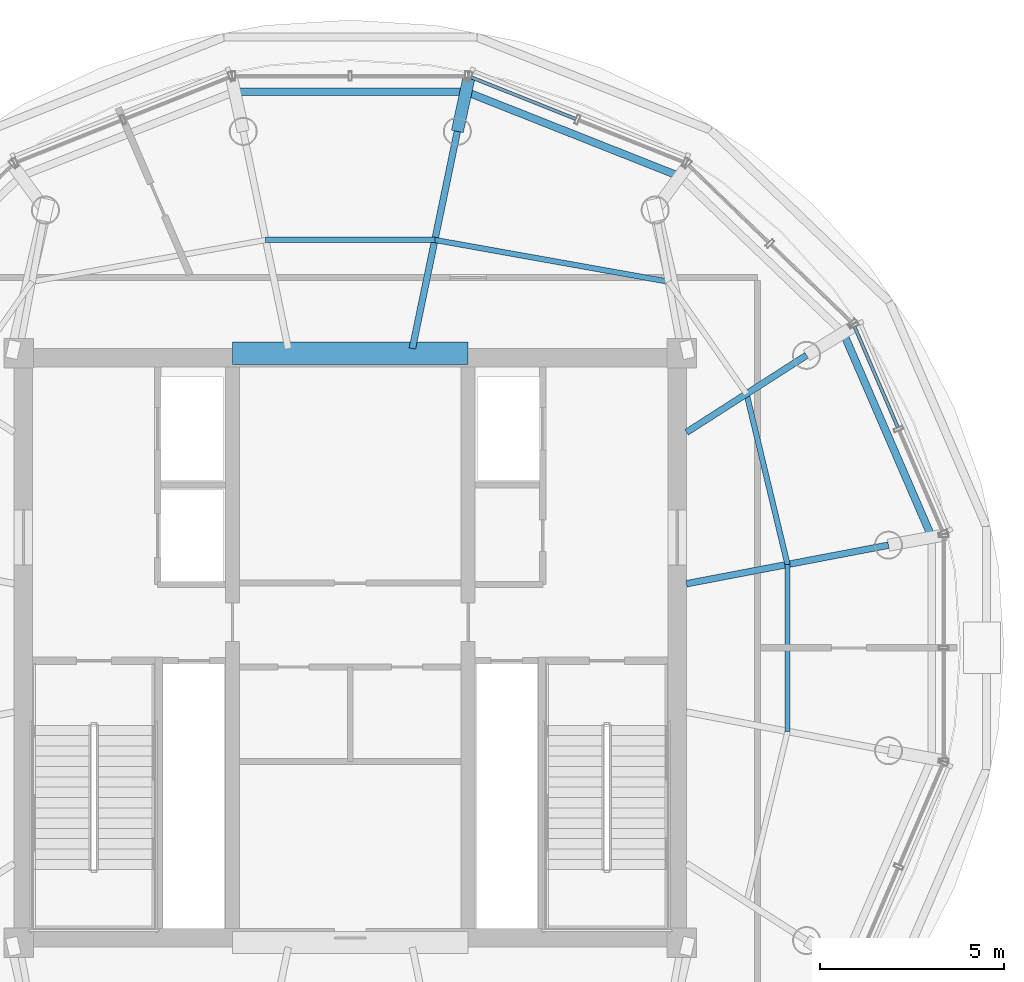
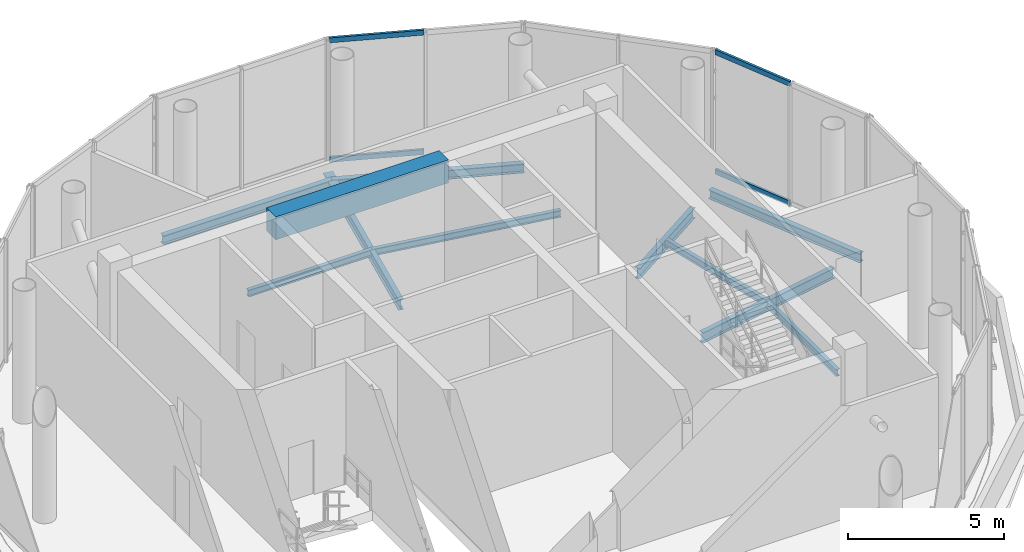
# One storey, part 6 of 14: 12 beams, 4 members, 2 elements without a shape of their own.
"""IFC4 building model written with IfcOpenShell, lengths in metres."""

import ifcopenshell
import ifcopenshell.guid

model = None  # the IFC model being written
_history = None  # IfcOwnerHistory: only IFC2X3 demands one
_inside = {}  # id of a spatial element -> (the spatial element, [elements in it])
_under = {}  # id of a project, library or spatial element -> (it, [spatial elements below it])
_declared = {}  # id of a project -> (the project, [libraries it declares])
_typed = {}  # id of a type object -> (the type object, [elements of that type])
_made_of = {}  # id of a material, layer set ... -> (it, [elements and type objects made of it])


def new_model(schema):
    """Start an empty IFC model of exactly this schema.

    Asked for "IFC4X3", IfcOpenShell would pick the latest addendum, in which some entities
    have other attributes; the version numbers below select the first issue.
    IFC2X3 requires an IfcOwnerHistory on every rooted entity: one is made here for all.
    """
    global model, _history
    if schema == "IFC4X3":
        model = ifcopenshell.file(schema_version=(4, 3, 0, 0))
    else:
        model = ifcopenshell.file(schema=schema)
    _inside.clear()
    _under.clear()
    _declared.clear()
    _typed.clear()
    _made_of.clear()
    _history = None
    if model.schema == "IFC2X3":
        org = make("IfcOrganization", Name="unknown")
        user = make(
            "IfcPersonAndOrganization",
            ThePerson=make("IfcPerson", FamilyName="unknown"),
            TheOrganization=org,
        )
        app = make(
            "IfcApplication",
            ApplicationDeveloper=org,
            Version="unknown",
            ApplicationFullName="unknown",
            ApplicationIdentifier="unknown",
        )
        _history = make(
            "IfcOwnerHistory",
            OwningUser=user,
            OwningApplication=app,
            ChangeAction="ADDED",
            CreationDate=0,
        )
    return model


def make(cls, **values):
    """One entity of the class cls with the attributes given. An attribute that is None is left unset."""
    return model.create_entity(
        cls, **{name: value for name, value in values.items() if value is not None}
    )


def rooted(cls, **values):
    """An entity with a GlobalId (a new one), such as an element, a storey or a relation."""
    return make(cls, GlobalId=ifcopenshell.guid.new(), OwnerHistory=_history, **values)


def si_unit(unit_type, name, prefix=None):
    """IfcSIUnit, for example si_unit("LENGTHUNIT", "METRE", prefix="MILLI")."""
    return make("IfcSIUnit", UnitType=unit_type, Prefix=prefix, Name=name)


def assignment(units):
    """IfcUnitAssignment: the units of a project."""
    return None if units is None else make("IfcUnitAssignment", Units=units)


def point(xyz):
    """IfcCartesianPoint."""
    return None if xyz is None else make("IfcCartesianPoint", Coordinates=xyz)


def direction(xyz):
    """IfcDirection."""
    return None if xyz is None else make("IfcDirection", DirectionRatios=xyz)


def frame(location, z_axis=None, x_axis=None):
    """IfcAxis2Placement3D, a coordinate frame: its origin and axes. An axis left out is left unset."""
    return make(
        "IfcAxis2Placement3D",
        Location=point(location),
        Axis=direction(z_axis),
        RefDirection=direction(x_axis),
    )


def frame_2d(location, x_axis=None):
    """IfcAxis2Placement2D, a coordinate frame in the plane: its origin and x axis."""
    return make(
        "IfcAxis2Placement2D", Location=point(location), RefDirection=direction(x_axis)
    )


def origin():
    """The frame at (0, 0, 0) with its axes left unset."""
    return frame((0.0, 0.0, 0.0))


def origin_2d():
    """The frame at (0, 0) in the plane with its x axis left unset."""
    return frame_2d((0.0, 0.0))


def place(relative_to, where):
    """IfcLocalPlacement: puts the frame where relative to a parent placement (None: the world)."""
    return make(
        "IfcLocalPlacement", PlacementRelTo=relative_to, RelativePlacement=where
    )


def context(
    kind, dimensions, precision=None, world=None, true_north=None, identifier=None
):
    """IfcGeometricRepresentationContext, for example the 3D "Model" context."""
    return make(
        "IfcGeometricRepresentationContext",
        ContextIdentifier=identifier,
        ContextType=kind,
        CoordinateSpaceDimension=dimensions,
        Precision=precision,
        WorldCoordinateSystem=world,
        TrueNorth=true_north,
    )


def subcontext(parent, identifier, kind, view, scale=None):
    """IfcGeometricRepresentationSubContext, for example "Body" below "Model"."""
    return make(
        "IfcGeometricRepresentationSubContext",
        ContextIdentifier=identifier,
        ContextType=kind,
        ParentContext=parent,
        TargetScale=scale,
        TargetView=view,
    )


def project(units=None, contexts=None):
    """IfcProject with its units and contexts."""
    return rooted(
        "IfcProject",
        Name="project",
        RepresentationContexts=contexts,
        UnitsInContext=assignment(units),
    )


def spatial(cls, under=None, at=None, **own):
    """A site, building, storey or space (cls), placed at a placement, below another one or the project."""
    s = rooted(cls, ObjectPlacement=at, **own)
    if under is not None:
        _under.setdefault(under.id(), (under, []))[1].append(s)
    return s


def profile(cls, at=None, kind="AREA", **sizes):
    """A parametric profile (cls). Its sizes go by their IFC names, for example OverallWidth=200.0."""
    return make(cls, ProfileType=kind, Position=at, **sizes)


def rectangle(**sizes):
    """IfcRectangleProfileDef."""
    return profile("IfcRectangleProfileDef", **sizes)


def hollow_rectangle(**sizes):
    """IfcRectangleHollowProfileDef."""
    return profile("IfcRectangleHollowProfileDef", **sizes)


def i_section(**sizes):
    """IfcIShapeProfileDef."""
    return profile("IfcIShapeProfileDef", **sizes)


def extrude(swept, where, along, depth):
    """IfcExtrudedAreaSolid: the profile swept, set in the frame where, extruded along a direction by depth."""
    return make(
        "IfcExtrudedAreaSolid",
        SweptArea=swept,
        Position=where,
        ExtrudedDirection=direction(along),
        Depth=depth,
    )


def shape(context_of_items, identifier, shape_type, items):
    """IfcShapeRepresentation: the items that make up one representation, for example the "Body"."""
    return make(
        "IfcShapeRepresentation",
        ContextOfItems=context_of_items,
        RepresentationIdentifier=identifier,
        RepresentationType=shape_type,
        Items=items,
    )


def source(mapping_origin, context_of_items, identifier, shape_type, items):
    """IfcRepresentationMap: a shape defined once, which mapped items show again and again."""
    return make(
        "IfcRepresentationMap",
        MappingOrigin=mapping_origin,
        MappedRepresentation=shape(context_of_items, identifier, shape_type, items),
    )


def transform(
    local_origin,
    x_axis=None,
    y_axis=None,
    z_axis=None,
    scale=None,
    scale2=None,
    scale3=None,
    uniform=True,
):
    """IfcCartesianTransformationOperator3D, or its non-uniform kind. x_axis, y_axis, z_axis: its Axis1, 2, 3."""
    if uniform:
        return make(
            "IfcCartesianTransformationOperator3D",
            Axis1=direction(x_axis),
            Axis2=direction(y_axis),
            LocalOrigin=point(local_origin),
            Scale=scale,
            Axis3=direction(z_axis),
        )
    return make(
        "IfcCartesianTransformationOperator3DnonUniform",
        Axis1=direction(x_axis),
        Axis2=direction(y_axis),
        LocalOrigin=point(local_origin),
        Scale=scale,
        Axis3=direction(z_axis),
        Scale2=scale2,
        Scale3=scale3,
    )


def mapped(mapping_source, mapping_target):
    """IfcMappedItem: shows the shape of a source again, moved by a transform."""
    return make(
        "IfcMappedItem", MappingSource=mapping_source, MappingTarget=mapping_target
    )


def material(Name=None, Category=None):
    """IfcMaterial."""
    return make("IfcMaterial", Name=Name, Category=Category)


def material_profile(
    of_material, cross_section, Name=None, Category=None, Priority=None
):
    """IfcMaterialProfile: a cross section and its material."""
    return make(
        "IfcMaterialProfile",
        Name=Name,
        Material=of_material,
        Profile=cross_section,
        Priority=Priority,
        Category=Category,
    )


def profile_set(profiles, Name=None, composite=None):
    """IfcMaterialProfileSet."""
    return make(
        "IfcMaterialProfileSet",
        Name=Name,
        MaterialProfiles=profiles,
        CompositeProfile=composite,
    )


def made_of(thing, what):
    """Note that an element or type object is made of a material, layer set ...; save() writes the relation."""
    if what is not None:
        _made_of.setdefault(what.id(), (what, []))[1].append(thing)
    return thing


def type_object(cls, material=None, **own):
    """A type object (cls), such as IfcWallType, which elements share."""
    return made_of(rooted(cls, **own), material)


def element(
    cls,
    number,
    at=None,
    inside=None,
    cuts=None,
    type_object=None,
    material=None,
    context=None,
    identifier="Body",
    shape_type=None,
    held_by="IfcProductDefinitionShape",
    body=None,
    shapes=None,
    **own,
):
    """One element of the class cls, such as IfcWall. Its Tag is "e" and its number.

    at: its placement. inside: the storey or other place that contains it. cuts: it is an
    opening in that element (IfcRelVoidsElement). A single representation is given by context,
    identifier, shape_type and body (its items); several are given by shapes. held_by: the class
    of the entity that holds the representations. save() writes the other relations.
    """
    e = rooted(cls, Tag="e%d" % number, ObjectPlacement=at, **own)
    if body is not None:
        shapes = [shape(context, identifier, shape_type, body)]
    if shapes is not None:
        e.Representation = make(held_by, Representations=shapes)
    if inside is not None:
        _inside.setdefault(inside.id(), (inside, []))[1].append(e)
    if cuts is not None:
        rooted(
            "IfcRelVoidsElement", RelatingBuildingElement=cuts, RelatedOpeningElement=e
        )
    if type_object is not None:
        _typed.setdefault(type_object.id(), (type_object, []))[1].append(e)
    return made_of(e, material)


def aggregate(whole, parts):
    """IfcRelAggregates: a whole, such as a stair, and the parts it consists of."""
    return rooted("IfcRelAggregates", RelatingObject=whole, RelatedObjects=parts)


def save(model, path):
    """Write the relations noted so far, then the file.

    IfcRelAggregates (storeys below a building ...), IfcRelContainedInSpatialStructure (elements
    in a storey), IfcRelDefinesByType, IfcRelAssociatesMaterial and IfcRelDeclares: one each for
    every whole, place, type object, material and project.
    """
    for whole, parts in _under.values():
        aggregate(whole, parts)
    for where, things in _inside.values():
        rooted(
            "IfcRelContainedInSpatialStructure",
            RelatedElements=things,
            RelatingStructure=where,
        )
    for kind, things in _typed.values():
        rooted("IfcRelDefinesByType", RelatedObjects=things, RelatingType=kind)
    for what, things in _made_of.values():
        rooted("IfcRelAssociatesMaterial", RelatedObjects=things, RelatingMaterial=what)
    for by, libraries in _declared.values():
        rooted("IfcRelDeclares", RelatingContext=by, RelatedDefinitions=libraries)
    model.write(path)


model = new_model("IFC4")

# Units and contexts
model_context = context("Model", 3, precision=1e-05, world=origin(), true_north=direction((-0.2419218956, 0.970295726276)))
body_context = subcontext(model_context, "Body", "Model", "MODEL_VIEW")
ifc_project = project(units=[si_unit("LENGTHUNIT", "METRE"), si_unit("AREAUNIT", "SQUARE_METRE"), si_unit("VOLUMEUNIT", "CUBIC_METRE"), si_unit("PLANEANGLEUNIT", "RADIAN"), si_unit("MASSUNIT", "GRAM", prefix="KILO")], contexts=[model_context])

# Site, building, storey
site_placement = place(None, origin())
site = spatial("IfcSite", under=ifc_project, at=site_placement, CompositionType="ELEMENT")
building_placement = place(site_placement, origin())
building = spatial("IfcBuilding", under=site, at=building_placement, Name="Cobrevalo Terracotta Tower", CompositionType="ELEMENT")
storey_placement = place(building_placement, frame((0.0, 0.0, 321.699951171875)))
storey = spatial("IfcBuildingStorey", under=building, at=storey_placement, Name="L83", CompositionType="ELEMENT", Elevation=321.699951171875)

# Beams
ifc_material_1 = material(Name="Concrete C60", Category="concrete")
ifc_material_profile_1 = material_profile(ifc_material_1, rectangle(XDim=0.60009765625, YDim=0.89990234375, at=origin_2d()), Name="RC CB 600x900")
ifc_profile_set_1 = profile_set([ifc_material_profile_1], Name="Concrete C60")
beam_type_1 = type_object("IfcBeamType", Name="Structural Beam RC CB 600x900 (Concrete C60)", PredefinedType="BEAM", material=ifc_profile_set_1)
beam_1_placement = place(storey_placement, frame((34.800048828125, 34.800048828125, 4.330078125), z_axis=(1.0, 0.0, 0.0), x_axis=(0.0, 1.0, 0.0)))
element("IfcBeam", 1, at=beam_1_placement, inside=storey, type_object=beam_type_1, Name="L83 core coupling beam 2", PredefinedType="BEAM", context=body_context, shape_type="SweptSolid", body=[
    extrude(rectangle(XDim=0.60009765625, YDim=0.89990234375, at=origin_2d()), origin(), (0.0, 0.0, 1.0), 6.39990234375),
])
ifc_material_2 = material(Name="Steel S355", Category="steel")
ifc_material_profile_2 = material_profile(ifc_material_2, i_section(OverallWidth=0.179931640625, OverallDepth=0.4130859375, WebThickness=0.009765625, FlangeThickness=0.01611328125, at=origin_2d()), Name="W 410x75")
ifc_profile_set_2 = profile_set([ifc_material_profile_2], Name="Steel S355")
beam_type_2 = type_object("IfcBeamType", Name="Structural Beam W 410x75 (Steel S355)", PredefinedType="BEAM", material=ifc_profile_set_2)
beam_2_placement = place(storey_placement, frame((52.61376953125, 29.58984375, -0.62646484375), z_axis=(-0.982261932892, -0.187513986655, 0.0), x_axis=(0.187513986655, -0.982261932892, 0.0)))
element("IfcBeam", 2, at=beam_2_placement, inside=storey, type_object=beam_type_2, Name="L83 radial floor girder 01", PredefinedType="BEAM", context=body_context, shape_type="SweptSolid", body=[
    extrude(i_section(OverallWidth=0.179931640625, OverallDepth=0.4130859375, WebThickness=0.009765625, FlangeThickness=0.01611328125, at=origin_2d()), origin(), (0.0, 0.0, 1.0), 5.5830078125),
])
beam_3_placement = place(storey_placement, frame((50.388916015625, 34.74462890625, -0.62646484375), z_axis=(-0.841794646381, -0.539797900444, 0.0), x_axis=(0.539797900444, -0.841794646381, 0.0)))
element("IfcBeam", 3, at=beam_3_placement, inside=storey, type_object=beam_type_2, Name="L83 radial floor girder 02", PredefinedType="BEAM", context=body_context, shape_type="SweptSolid", body=[
    extrude(i_section(OverallWidth=0.179931640625, OverallDepth=0.4130859375, WebThickness=0.009765625, FlangeThickness=0.01611328125, at=origin_2d()), origin(), (0.0, 0.0, 1.0), 3.87158203125),
])
beam_4_placement = place(storey_placement, frame((40.90673828125, 40.8251953125, -0.62646484375), z_axis=(-0.202919370173, -0.979195449953, 0.0), x_axis=(0.979195449953, -0.202919370173, 0.0)))
element("IfcBeam", 4, at=beam_4_placement, inside=storey, type_object=beam_type_2, Name="L83 radial floor girder 04", PredefinedType="BEAM", context=body_context, shape_type="SweptSolid", body=[
    extrude(i_section(OverallWidth=0.179931640625, OverallDepth=0.4130859375, WebThickness=0.009765625, FlangeThickness=0.01611328125, at=origin_2d()), origin(), (0.0, 0.0, 1.0), 6.0205078125),
])
ifc_material_profile_3 = material_profile(ifc_material_2, i_section(OverallWidth=0.3291015625, OverallDepth=0.635009765625, WebThickness=0.017822265625, FlangeThickness=0.031005859375, at=origin_2d()), Name="W 610x241")
ifc_profile_set_3 = profile_set([ifc_material_profile_3], Name="Steel S355")
beam_type_3 = type_object("IfcBeamType", Name="Structural Beam W 610x241 (Steel S355)", PredefinedType="BEAM", material=ifc_profile_set_3)
beam_5_placement = place(storey_placement, frame((41.221435546875, 42.275390625, -0.737548828125), z_axis=(-0.212067624066, -0.977254993757, 0.0), x_axis=(0.977254993757, -0.212067624066, 0.0)))
element("IfcBeam", 5, at=beam_5_placement, inside=storey, type_object=beam_type_3, Name="L83 setback step-link girder 04", PredefinedType="BEAM", context=body_context, shape_type="SweptSolid", body=[
    extrude(i_section(OverallWidth=0.3291015625, OverallDepth=0.635009765625, WebThickness=0.017822265625, FlangeThickness=0.031005859375, at=origin_2d()), origin(), (0.0, 0.0, 1.0), 1.48388671875),
])
ifc_material_profile_4 = material_profile(ifc_material_2, i_section(OverallWidth=0.14794921875, OverallDepth=0.26611328125, WebThickness=0.007568359375, FlangeThickness=0.012939453125, at=origin_2d()), Name="W 250x44.8")
ifc_profile_set_4 = profile_set([ifc_material_profile_4], Name="Steel S355")
beam_type_4 = type_object("IfcBeamType", Name="Structural Joist W 250x44.8 (Steel S355)", PredefinedType="JOIST", material=ifc_profile_set_4)
beam_6_placement = place(storey_placement, frame((49.871826171875, 29.06640625, -0.552978515625), z_axis=(-0.233434963284, 0.972372417295, 0.0), x_axis=(-0.972372417295, -0.233434963284, 0.0)))
element("IfcBeam", 6, at=beam_6_placement, inside=storey, type_object=beam_type_4, Name="L83 circumferential secondary floor joist 01", PredefinedType="JOIST", context=body_context, shape_type="SweptSolid", body=[
    extrude(i_section(OverallWidth=0.14794921875, OverallDepth=0.26611328125, WebThickness=0.007568359375, FlangeThickness=0.012939453125, at=origin_2d()), origin(), (0.0, 0.0, 1.0), 4.764892578125),
])
beam_7_placement = place(storey_placement, frame((46.638916015625, 36.7451171875, -0.552978515625), z_axis=(-0.984430619707, 0.175773590117, 0.0), x_axis=(-0.175773590117, -0.984430619707, 0.0)))
element("IfcBeam", 7, at=beam_7_placement, inside=storey, type_object=beam_type_4, Name="L83 circumferential secondary floor joist 03", PredefinedType="JOIST", context=body_context, shape_type="SweptSolid", body=[
    extrude(i_section(OverallWidth=0.14794921875, OverallDepth=0.26611328125, WebThickness=0.007568359375, FlangeThickness=0.012939453125, at=origin_2d()), origin(), (0.0, 0.0, 1.0), 6.443359375),
])
beam_8_placement = place(storey_placement, frame((40.2958984375, 37.877685546875, -0.552978515625), z_axis=(-1.0, 0.0, 0.0), x_axis=(0.0, -1.0, 0.0)))
element("IfcBeam", 8, at=beam_8_placement, inside=storey, type_object=beam_type_4, Name="L83 circumferential secondary floor joist 04", PredefinedType="JOIST", context=body_context, shape_type="SweptSolid", body=[
    extrude(i_section(OverallWidth=0.14794921875, OverallDepth=0.26611328125, WebThickness=0.007568359375, FlangeThickness=0.012939453125, at=origin_2d()), origin(), (0.0, 0.0, 1.0), 4.591796875),
])
beam_9_placement = place(storey_placement, frame((49.871826171875, 24.53369140625, -0.552978515625), z_axis=(0.0, 1.0, 0.0), x_axis=(-1.0, 0.0, 0.0)))
element("IfcBeam", 9, at=beam_9_placement, inside=storey, type_object=beam_type_4, Name="L83 circumferential secondary floor joist 16", PredefinedType="JOIST", context=body_context, shape_type="SweptSolid", body=[
    extrude(i_section(OverallWidth=0.14794921875, OverallDepth=0.26611328125, WebThickness=0.007568359375, FlangeThickness=0.012939453125, at=origin_2d()), origin(), (0.0, 0.0, 1.0), 4.53271484375),
])
ifc_material_profile_5 = material_profile(ifc_material_2, i_section(OverallWidth=0.205078125, OverallDepth=0.35400390625, WebThickness=0.009521484375, FlangeThickness=0.016845703125, at=origin_2d()), Name="W 360x79")
ifc_profile_set_5 = profile_set([ifc_material_profile_5], Name="Steel S355")
beam_type_5 = type_object("IfcBeamType", Name="Structural Spandrel W 360x79 (Steel S355)", PredefinedType="SPANDREL", material=ifc_profile_set_5)
beam_10_placement = place(storey_placement, frame((53.79052734375, 29.804443359375, -0.596923828125), z_axis=(-0.397365049134, 0.917660622304, 0.0), x_axis=(-0.917660622304, -0.397365049134, 0.0)))
element("IfcBeam", 10, at=beam_10_placement, inside=storey, type_object=beam_type_5, Name="L83 perimeter ring spandrel 01", PredefinedType="SPANDREL", context=body_context, shape_type="SweptSolid", body=[
    extrude(i_section(OverallWidth=0.205078125, OverallDepth=0.35400390625, WebThickness=0.009521484375, FlangeThickness=0.016845703125, at=origin_2d()), origin(), (0.0, 0.0, 1.0), 6.04931640625),
])
beam_11_placement = place(storey_placement, frame((46.944580078125, 39.604736328125, -0.596923828125), z_axis=(-0.929696156532, 0.368327376839, 0.0), x_axis=(-0.368327376839, -0.929696156532, 0.0)))
element("IfcBeam", 11, at=beam_11_placement, inside=storey, type_object=beam_type_5, Name="L83 perimeter ring spandrel 03", PredefinedType="SPANDREL", context=body_context, shape_type="SweptSolid", body=[
    extrude(i_section(OverallWidth=0.205078125, OverallDepth=0.35400390625, WebThickness=0.009521484375, FlangeThickness=0.016845703125, at=origin_2d()), origin(), (0.0, 0.0, 1.0), 6.24267578125),
])
beam_12_placement = place(storey_placement, frame((41.140869140625, 41.904052734375, -0.596923828125), z_axis=(-1.0, 0.0, 0.0), x_axis=(0.0, -1.0, 0.0)))
element("IfcBeam", 12, at=beam_12_placement, inside=storey, type_object=beam_type_5, Name="L83 perimeter ring spandrel 04", PredefinedType="SPANDREL", context=body_context, shape_type="SweptSolid", body=[
    extrude(i_section(OverallWidth=0.205078125, OverallDepth=0.35400390625, WebThickness=0.009521484375, FlangeThickness=0.016845703125, at=origin_2d()), origin(), (0.0, 0.0, 1.0), 6.28173828125),
])

# Curtain wall, members
ifc_material_3 = material(Name="Anodized aluminium", Category="aluminium")
curtain_wall_type = type_object("IfcCurtainWallType", Name="Faceted glass-point crown structural glazing system CW-CR", PredefinedType="NOTDEFINED", material=ifc_material_3)
curtain_wall_1_placement = place(storey_placement, origin())
curtain_wall_1 = element("IfcCurtainWall", 13, at=curtain_wall_1_placement, inside=storey, type_object=curtain_wall_type, Name="L83 curtain wall CW-CRN-L83-S01", PredefinedType="NOTDEFINED")
ifc_material_profile_6 = material_profile(ifc_material_3, hollow_rectangle(XDim=0.090087890625, YDim=0.195068359375, WallThickness=0.005615234375, at=origin_2d()), Name="CWT 90x195")
ifc_profile_set_6 = profile_set([ifc_material_profile_6], Name="Anodized aluminium")
member_type = type_object("IfcMemberType", Name="Crown structural aluminium transom 90x195", PredefinedType="USERDEFINED", material=ifc_profile_set_6)
shared_shape_1 = source(origin(), body_context, "Body", "SweptSolid", [
    extrude(hollow_rectangle(XDim=0.090087890625, YDim=0.195068359375, WallThickness=0.005615234375, at=origin_2d()), origin(), (0.0, 0.0, 1.0), 2.985595703125),
])
member_1_placement = place(storey_placement, frame((52.871826171875, 32.7783203125, 0.050048828125), z_axis=(-0.39495528775, 0.918700343245, 0.0), x_axis=(-0.918700343245, -0.39495528775, 0.0)))
member_1 = element("IfcMember", 14, at=member_1_placement, type_object=member_type, Name="CW-CRN-L83-S01 transom B02-T1", ObjectType="TRANSOM", PredefinedType="USERDEFINED", context=body_context, shape_type="MappedRepresentation", body=[
    mapped(shared_shape_1, transform((0.0, 0.0, 0.0), scale=1.0)),
])
member_2_placement = place(storey_placement, frame((52.871826171875, 32.7783203125, 4.72998046875), z_axis=(-0.39495528775, 0.918700343245, 0.0), x_axis=(-0.918700343245, -0.39495528775, 0.0)))
member_2 = element("IfcMember", 15, at=member_2_placement, type_object=member_type, Name="CW-CRN-L83-S01 transom B02-T2", ObjectType="TRANSOM", PredefinedType="USERDEFINED", context=body_context, shape_type="MappedRepresentation", body=[
    mapped(shared_shape_1, transform((0.0, 0.0, 0.0), scale=1.0)),
])
aggregate(curtain_wall_1, [member_1, member_2])

curtain_wall_2_placement = place(storey_placement, origin())
curtain_wall_2 = element("IfcCurtainWall", 16, at=curtain_wall_2_placement, inside=storey, type_object=curtain_wall_type, Name="L83 curtain wall CW-CRN-L83-S03", PredefinedType="NOTDEFINED")
shared_shape_2 = source(origin(), body_context, "Body", "SweptSolid", [
    extrude(hollow_rectangle(XDim=0.090087890625, YDim=0.195068359375, WallThickness=0.005615234375, at=origin_2d()), origin(), (0.0, 0.0, 1.0), 3.068603515625),
])
member_3_placement = place(storey_placement, frame((44.129638671875, 41.158935546875, 0.050048828125), z_axis=(-0.928794593829, 0.370594930448, 0.0), x_axis=(-0.370594930448, -0.928794593829, 0.0)))
member_3 = element("IfcMember", 17, at=member_3_placement, type_object=member_type, Name="CW-CRN-L83-S03 transom B02-T1", ObjectType="TRANSOM", PredefinedType="USERDEFINED", context=body_context, shape_type="MappedRepresentation", body=[
    mapped(shared_shape_2, transform((0.0, 0.0, 0.0), scale=1.0)),
])
member_4_placement = place(storey_placement, frame((44.129638671875, 41.158935546875, 4.72998046875), z_axis=(-0.928794593829, 0.370594930448, 0.0), x_axis=(-0.370594930448, -0.928794593829, 0.0)))
member_4 = element("IfcMember", 18, at=member_4_placement, type_object=member_type, Name="CW-CRN-L83-S03 transom B02-T2", ObjectType="TRANSOM", PredefinedType="USERDEFINED", context=body_context, shape_type="MappedRepresentation", body=[
    mapped(shared_shape_2, transform((0.0, 0.0, 0.0), scale=1.0)),
])
aggregate(curtain_wall_2, [member_3, member_4])

save(model, "model.ifc")
